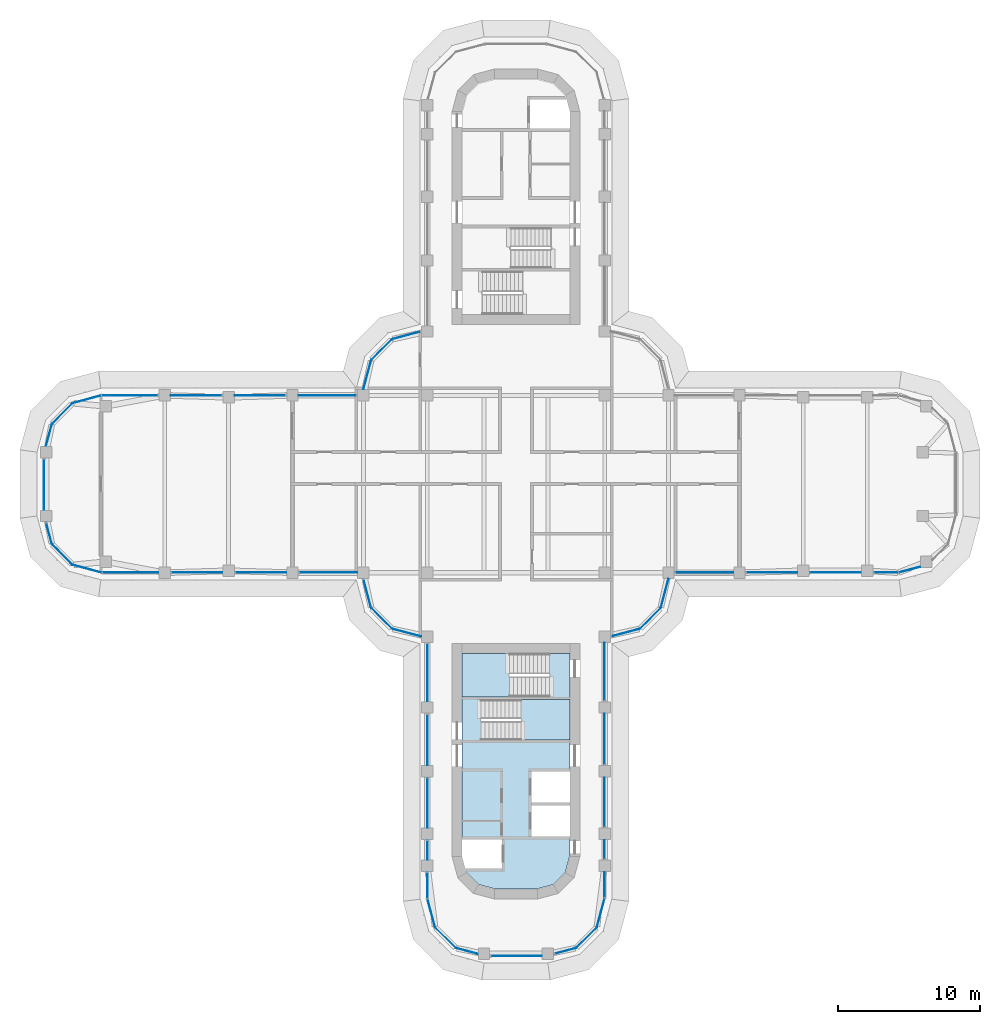
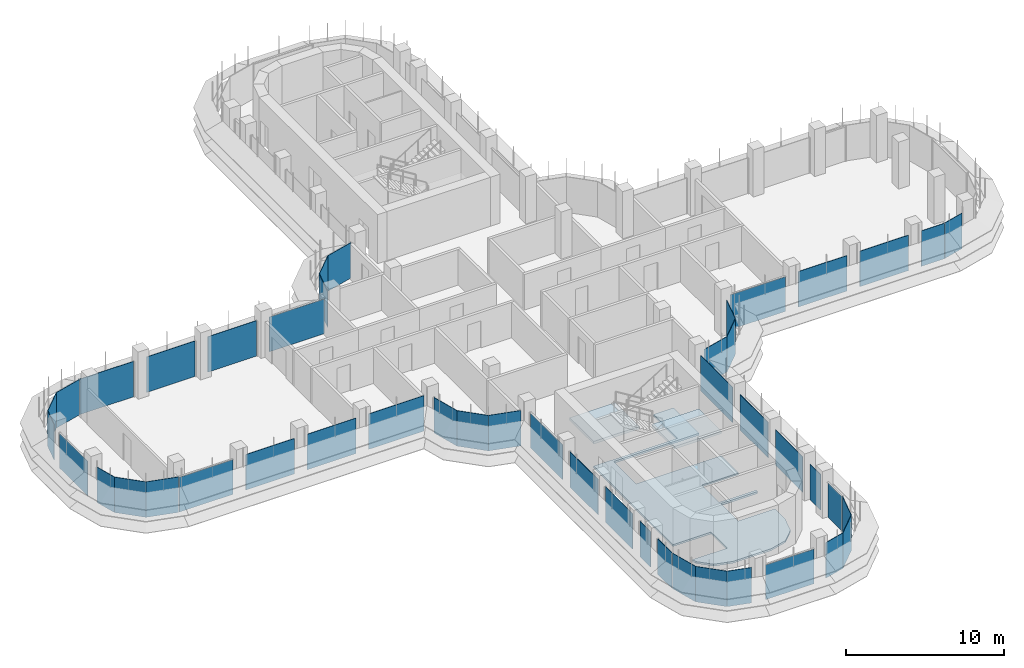
# One storey, part 12 of 20: 46 plates, 3 slabs, 31 elements without a shape of their own.
"""IFC4 building model written with IfcOpenShell, lengths in metres."""

from ifc_helpers import new_model, si_unit, direction, frame, origin, place, context, subcontext, project, spatial, polyline, outline, extrude, source, transform, mapped, material, layer, layer_set, type_object, element, aggregate, save


model = new_model("IFC4")

# Units and contexts
model_context = context("Model", 3, precision=1e-05, world=origin(), true_north=direction((0.0, 1.0)))
body_context = subcontext(model_context, "Body", "Model", "MODEL_VIEW")
ifc_project = project(units=[si_unit("LENGTHUNIT", "METRE"), si_unit("AREAUNIT", "SQUARE_METRE"), si_unit("VOLUMEUNIT", "CUBIC_METRE"), si_unit("PLANEANGLEUNIT", "RADIAN"), si_unit("MASSUNIT", "GRAM", prefix="KILO")], contexts=[model_context])

# Site, building, storey
site_placement = place(None, origin())
site = spatial("IfcSite", under=ifc_project, at=site_placement, CompositionType="ELEMENT")
building_placement = place(site_placement, origin())
building = spatial("IfcBuilding", under=site, at=building_placement, Name="Zarbagh Exchange Tower", CompositionType="ELEMENT")
storey_placement = place(building_placement, frame((0.0, 0.0, 148.60009765625)))
storey = spatial("IfcBuildingStorey", under=building, at=storey_placement, Name="L35", CompositionType="ELEMENT", Elevation=148.60009765625)

# Slab
ifc_material_1 = material(Name="Concrete C40/50", Category="concrete")
ifc_layer_1 = layer(ifc_material_1, 0.14990234375)
ifc_layer_set_1 = layer_set([ifc_layer_1], Name="Core floor slab 150 C40/50")
slab_type_1 = type_object("IfcSlabType", Name="Core floor slab 150 C40/50", PredefinedType="FLOOR", material=ifc_layer_set_1)
slab_1_placement = place(storey_placement, frame((0.0, 0.0, -0.150146484375)))
element("IfcSlab", 1, at=slab_1_placement, inside=storey, type_object=slab_type_1, Name="S17 core S", PredefinedType="FLOOR", context=body_context, shape_type="SweptSolid", body=[
    extrude(outline(polyline([(-2.6376953125, -28.220458984375), (-3.470458984375, -27.3876953125), (-3.800048828125, -26.15771484375), (-3.800048828125, -26.15771484375), (-3.547607421875, -27.10009765625), (-1.0, -27.10009765625), (-1.0, -25.050048828125), (-3.800048828125, -25.050048828125), (-3.800048828125, -15.0), (2.35009765625, -15.0), (2.35009765625, -11.949951171875), (3.800048828125, -11.949951171875), (3.800048828125, -15.199951171875), (-2.449951171875, -15.199951171875), (-2.449951171875, -18.050048828125), (3.800048828125, -18.050048828125), (3.800048828125, -20.25), (1.10009765625, -20.25), (1.10009765625, -22.449951171875), (3.800048828125, -22.449951171875), (3.800048828125, -22.64990234375), (1.10009765625, -22.64990234375), (1.10009765625, -24.85009765625), (3.800048828125, -24.85009765625), (3.800048828125, -26.15771484375), (3.470458984375, -27.3876953125), (2.6376953125, -28.220458984375), (1.40771484375, -28.550048828125), (-1.40771484375, -28.550048828125), (-2.6376953125, -28.220458984375)])), origin(), (0.0, 0.0, 1.0), 0.150146484375),
])

# Stair, slab
stair_type = type_object("IfcStairType", Name="Exit stair two-flight half-turn", PredefinedType="HALF_TURN_STAIR", material=ifc_material_1)
stair_1_placement = place(storey_placement, origin())
stair_1 = element("IfcStair", 2, at=stair_1_placement, inside=storey, type_object=stair_type, Name="exit stair ST3", PredefinedType="HALF_TURN_STAIR")
ifc_layer_2 = layer(ifc_material_1, 0.199951171875)
ifc_layer_set_2 = layer_set([ifc_layer_2], Name="Stair landing 200 mm")
slab_type_2 = type_object("IfcSlabType", Name="Stair landing 200 mm", PredefinedType="LANDING", material=ifc_layer_set_2)
slab_2_placement = place(storey_placement, frame((0.0, 0.0, 1.699951171875)))
slab_2 = element("IfcSlab", 3, at=slab_2_placement, type_object=slab_type_2, Name="ST3 landing 1", PredefinedType="LANDING", context=body_context, shape_type="SweptSolid", body=[
    extrude(outline(polyline([(0.35009765625, -18.050048828125), (3.800048828125, -18.050048828125), (3.800048828125, -15.199951171875), (0.35009765625, -15.199951171875), (0.35009765625, -18.050048828125)])), origin(), (0.0, 0.0, 1.0), 0.199951171875),
])
aggregate(stair_1, [slab_2])

stair_2_placement = place(storey_placement, origin())
stair_2 = element("IfcStair", 4, at=stair_2_placement, inside=storey, type_object=stair_type, Name="exit stair ST4", PredefinedType="HALF_TURN_STAIR")
slab_3_placement = place(storey_placement, frame((0.0, 0.0, 1.699951171875)))
slab_3 = element("IfcSlab", 5, at=slab_3_placement, type_object=slab_type_2, Name="ST4 landing 1", PredefinedType="LANDING", context=body_context, shape_type="SweptSolid", body=[
    extrude(outline(polyline([(-0.449951171875, -11.949951171875), (-3.800048828125, -11.949951171875), (-3.800048828125, -15.0), (-0.449951171875, -15.0), (-0.449951171875, -11.949951171875)])), origin(), (0.0, 0.0, 1.0), 0.199951171875),
])
aggregate(stair_2, [slab_3])

# Curtain wall, plate
ifc_material_2 = material(Name="Anodised aluminium frame and glazing", Category="aluminium")
curtain_wall_type = type_object("IfcCurtainWallType", Name="CWB Ribbon glazing, upper zones", PredefinedType="NOTDEFINED", material=ifc_material_2)
curtain_wall_1_placement = place(storey_placement, origin())
curtain_wall_1 = element("IfcCurtainWall", 6, at=curtain_wall_1_placement, inside=storey, type_object=curtain_wall_type, Name="CWB01 curtain wall", PredefinedType="NOTDEFINED")
ifc_material_3 = material(Name="Low-e double glazed unit, 6+12+6 mm")
ifc_layer_3 = layer(ifc_material_3, 0.031982421875)
ifc_layer_set_3 = layer_set([ifc_layer_3], Name="PAB Glazing panel, Low-e double glazed unit, 6+12+6 mm")
plate_type = type_object("IfcPlateType", Name="PAB Glazing panel, Low-e double glazed unit, 6+12+6 mm", PredefinedType="CURTAIN_PANEL", material=ifc_layer_set_3)
shared_shape_1 = source(origin(), body_context, "Body", "SweptSolid", [
    extrude(outline(polyline([(0.0, -0.01611328125), (1.5458984375, -0.01611328125), (1.5458984375, 0.01611328125), (0.0, 0.01611328125), (0.0, -0.01611328125)])), origin(), (0.0, 0.0, 1.0), 2.75),
])
placement = place(storey_placement, origin())
plate_1 = element("IfcPlate", 7, at=placement, type_object=plate_type, Name="CWB01 glazing panel 1.1", PredefinedType="CURTAIN_PANEL", context=body_context, shape_type="MappedRepresentation", body=[
    mapped(shared_shape_1, transform((2.748046875, -33.098876953125, 0.0), x_axis=(0.965924289636, 0.258824779902, 0.0), y_axis=(-0.258824779902, 0.965924289636, 0.0), z_axis=(0.0, 0.0, 1.0))),
])
aggregate(curtain_wall_1, [plate_1])

curtain_wall_2_placement = place(storey_placement, origin())
curtain_wall_2 = element("IfcCurtainWall", 8, at=curtain_wall_2_placement, inside=storey, type_object=curtain_wall_type, Name="CWB37 curtain wall", PredefinedType="NOTDEFINED")
plate_2 = element("IfcPlate", 9, at=placement, type_object=plate_type, Name="CWB37 glazing panel 1.1", PredefinedType="CURTAIN_PANEL", context=body_context, shape_type="MappedRepresentation", body=[
    mapped(shared_shape_1, transform((-33.098876953125, -2.748046875, 0.0), x_axis=(0.258824779902, -0.965924289636, 0.0), y_axis=(0.965924289636, 0.258824779902, 0.0), z_axis=(0.0, 0.0, 1.0))),
])
aggregate(curtain_wall_2, [plate_2])

curtain_wall_3_placement = place(storey_placement, origin())
curtain_wall_3 = element("IfcCurtainWall", 10, at=curtain_wall_3_placement, inside=storey, type_object=curtain_wall_type, Name="CWB02 curtain wall", PredefinedType="NOTDEFINED")
shared_shape_2 = source(origin(), body_context, "Body", "SweptSolid", [
    extrude(outline(polyline([(0.0, -0.01611328125), (2.061279296875, -0.01611328125), (2.061279296875, 0.01611328125), (0.0, 0.01611328125), (0.0, -0.01611328125)])), origin(), (0.0, 0.0, 1.0), 2.75),
])
plate_3 = element("IfcPlate", 11, at=placement, type_object=plate_type, Name="CWB02 glazing panel 1.1", PredefinedType="CURTAIN_PANEL", context=body_context, shape_type="MappedRepresentation", body=[
    mapped(shared_shape_2, transform((4.2412109375, -32.69873046875, 0.0), x_axis=(0.707106781187, 0.707106781187, 0.0), y_axis=(-0.707106781187, 0.707106781187, 0.0), z_axis=(0.0, 0.0, 1.0))),
])
aggregate(curtain_wall_3, [plate_3])

curtain_wall_4_placement = place(storey_placement, origin())
curtain_wall_4 = element("IfcCurtainWall", 12, at=curtain_wall_4_placement, inside=storey, type_object=curtain_wall_type, Name="CWB06 curtain wall", PredefinedType="NOTDEFINED")
plate_4 = element("IfcPlate", 13, at=placement, type_object=plate_type, Name="CWB06 glazing panel 1.1", PredefinedType="CURTAIN_PANEL", context=body_context, shape_type="MappedRepresentation", body=[
    mapped(shared_shape_2, transform((8.7412109375, -10.19873046875, 0.0), x_axis=(0.707106781187, 0.707106781187, 0.0), y_axis=(-0.707106781187, 0.707106781187, 0.0), z_axis=(0.0, 0.0, 1.0))),
])
aggregate(curtain_wall_4, [plate_4])

curtain_wall_5_placement = place(storey_placement, origin())
curtain_wall_5 = element("IfcCurtainWall", 14, at=curtain_wall_5_placement, inside=storey, type_object=curtain_wall_type, Name="CWB30 curtain wall", PredefinedType="NOTDEFINED")
plate_5 = element("IfcPlate", 15, at=placement, type_object=plate_type, Name="CWB30 glazing panel 1.1", PredefinedType="CURTAIN_PANEL", context=body_context, shape_type="MappedRepresentation", body=[
    mapped(shared_shape_2, transform((-8.7412109375, 10.19873046875, 0.0), x_axis=(-0.707106781187, -0.707106781187, 0.0), y_axis=(0.707106781187, -0.707106781187, 0.0), z_axis=(0.0, 0.0, 1.0))),
])
aggregate(curtain_wall_5, [plate_5])

curtain_wall_6_placement = place(storey_placement, origin())
curtain_wall_6 = element("IfcCurtainWall", 16, at=curtain_wall_6_placement, inside=storey, type_object=curtain_wall_type, Name="CWB34 curtain wall", PredefinedType="NOTDEFINED")
plate_6 = element("IfcPlate", 17, at=placement, type_object=plate_type, Name="CWB34 glazing panel 1.1", PredefinedType="CURTAIN_PANEL", context=body_context, shape_type="MappedRepresentation", body=[
    mapped(shared_shape_2, transform((-31.2412109375, 5.69873046875, 0.0), x_axis=(-0.707106781187, -0.707106781187, 0.0), y_axis=(0.707106781187, -0.707106781187, 0.0), z_axis=(0.0, 0.0, 1.0))),
])
aggregate(curtain_wall_6, [plate_6])

curtain_wall_7_placement = place(storey_placement, origin())
curtain_wall_7 = element("IfcCurtainWall", 18, at=curtain_wall_7_placement, inside=storey, type_object=curtain_wall_type, Name="CWB38 curtain wall", PredefinedType="NOTDEFINED")
plate_7 = element("IfcPlate", 19, at=placement, type_object=plate_type, Name="CWB38 glazing panel 1.1", PredefinedType="CURTAIN_PANEL", context=body_context, shape_type="MappedRepresentation", body=[
    mapped(shared_shape_2, transform((-32.69873046875, -4.2412109375, 0.0), x_axis=(0.707106781187, -0.707106781187, 0.0), y_axis=(0.707106781187, 0.707106781187, 0.0), z_axis=(0.0, 0.0, 1.0))),
])
aggregate(curtain_wall_7, [plate_7])

curtain_wall_8_placement = place(storey_placement, origin())
curtain_wall_8 = element("IfcCurtainWall", 20, at=curtain_wall_8_placement, inside=storey, type_object=curtain_wall_type, Name="CWB42 curtain wall", PredefinedType="NOTDEFINED")
plate_8 = element("IfcPlate", 21, at=placement, type_object=plate_type, Name="CWB42 glazing panel 1.1", PredefinedType="CURTAIN_PANEL", context=body_context, shape_type="MappedRepresentation", body=[
    mapped(shared_shape_2, transform((-10.19873046875, -8.7412109375, 0.0), x_axis=(0.707106781187, -0.707106781187, 0.0), y_axis=(0.707106781187, 0.707106781187, 0.0), z_axis=(0.0, 0.0, 1.0))),
])
aggregate(curtain_wall_8, [plate_8])

curtain_wall_9_placement = place(storey_placement, origin())
curtain_wall_9 = element("IfcCurtainWall", 22, at=curtain_wall_9_placement, inside=storey, type_object=curtain_wall_type, Name="CWB46 curtain wall", PredefinedType="NOTDEFINED")
plate_9 = element("IfcPlate", 23, at=placement, type_object=plate_type, Name="CWB46 glazing panel 1.1", PredefinedType="CURTAIN_PANEL", context=body_context, shape_type="MappedRepresentation", body=[
    mapped(shared_shape_2, transform((-5.69873046875, -31.2412109375, 0.0), x_axis=(0.707106781187, -0.707106781187, 0.0), y_axis=(0.707106781187, 0.707106781187, 0.0), z_axis=(0.0, 0.0, 1.0))),
])
aggregate(curtain_wall_9, [plate_9])

curtain_wall_10_placement = place(storey_placement, origin())
curtain_wall_10 = element("IfcCurtainWall", 24, at=curtain_wall_10_placement, inside=storey, type_object=curtain_wall_type, Name="CWB03 curtain wall", PredefinedType="NOTDEFINED")
shared_shape_3 = source(origin(), body_context, "Body", "SweptSolid", [
    extrude(outline(polyline([(0.0, -0.01611328125), (2.129638671875, -0.01611328125), (2.129638671875, 0.01611328125), (0.0, 0.01611328125), (0.0, -0.01611328125)])), origin(), (0.0, 0.0, 1.0), 2.75),
])
plate_10 = element("IfcPlate", 25, at=placement, type_object=plate_type, Name="CWB03 glazing panel 1.1", PredefinedType="CURTAIN_PANEL", context=body_context, shape_type="MappedRepresentation", body=[
    mapped(shared_shape_3, transform((5.69873046875, -31.2412109375, 0.0), x_axis=(0.258824779902, 0.965924289636, 0.0), y_axis=(-0.965924289636, 0.258824779902, 0.0), z_axis=(0.0, 0.0, 1.0))),
])
aggregate(curtain_wall_10, [plate_10])

curtain_wall_11_placement = place(storey_placement, origin())
curtain_wall_11 = element("IfcCurtainWall", 26, at=curtain_wall_11_placement, inside=storey, type_object=curtain_wall_type, Name="CWB39 curtain wall", PredefinedType="NOTDEFINED")
plate_11 = element("IfcPlate", 27, at=placement, type_object=plate_type, Name="CWB39 glazing panel 1.1", PredefinedType="CURTAIN_PANEL", context=body_context, shape_type="MappedRepresentation", body=[
    mapped(shared_shape_3, transform((-31.2412109375, -5.69873046875, 0.0), x_axis=(0.965924289636, -0.258824779902, 0.0), y_axis=(0.258824779902, 0.965924289636, 0.0), z_axis=(0.0, 0.0, 1.0))),
])
aggregate(curtain_wall_11, [plate_11])

# Curtain wall, plates
curtain_wall_12_placement = place(storey_placement, origin())
curtain_wall_12 = element("IfcCurtainWall", 28, at=curtain_wall_12_placement, inside=storey, type_object=curtain_wall_type, Name="CWB04 curtain wall", PredefinedType="NOTDEFINED")
shared_shape_4 = source(origin(), body_context, "Body", "SweptSolid", [
    extrude(outline(polyline([(0.0, -0.01611328125), (1.7841796875, -0.01611328125), (1.7841796875, 0.01611328125), (0.0, 0.01611328125), (0.0, -0.01611328125)])), origin(), (0.0, 0.0, 1.0), 2.68994140625),
])
plate_12 = element("IfcPlate", 29, at=placement, type_object=plate_type, Name="CWB04 glazing panel 1.1", PredefinedType="CURTAIN_PANEL", context=body_context, shape_type="MappedRepresentation", body=[
    mapped(shared_shape_4, transform((6.25, -29.124267578125, 0.0), x_axis=(0.0, 1.0, 0.0), y_axis=(-1.0, 0.0, 0.0), z_axis=(0.0, 0.0, 1.0))),
])
shared_shape_5 = source(origin(), body_context, "Body", "SweptSolid", [
    extrude(outline(polyline([(0.0, -0.01611328125), (1.31005859375, -0.01611328125), (1.31005859375, 0.01611328125), (0.0, 0.01611328125), (0.0, -0.01611328125)])), origin(), (0.0, 0.0, 1.0), 2.75),
])
plate_13 = element("IfcPlate", 30, at=placement, type_object=plate_type, Name="CWB04 glazing panel 2.1", PredefinedType="CURTAIN_PANEL", context=body_context, shape_type="MappedRepresentation", body=[
    mapped(shared_shape_5, transform((6.25, -26.39990234375, 0.0), x_axis=(0.0, 1.0, 0.0), y_axis=(-1.0, 0.0, 0.0), z_axis=(0.0, 0.0, 1.0))),
])

# Curtain wall, plate
curtain_wall_13_placement = place(storey_placement, origin())
curtain_wall_13 = element("IfcCurtainWall", 31, at=curtain_wall_13_placement, inside=storey, type_object=curtain_wall_type, Name="CWB44 curtain wall", PredefinedType="NOTDEFINED")
plate_14 = element("IfcPlate", 32, at=placement, type_object=plate_type, Name="CWB44 glazing panel 4.1", PredefinedType="CURTAIN_PANEL", context=body_context, shape_type="MappedRepresentation", body=[
    mapped(shared_shape_5, transform((-6.25, -25.150146484375, 0.0), x_axis=(0.0, -1.0, 0.0), y_axis=(1.0, 0.0, 0.0), z_axis=(0.0, 0.0, 1.0))),
])

# Plate
shared_shape_6 = source(origin(), body_context, "Body", "SweptSolid", [
    extrude(outline(polyline([(0.0, -0.01611328125), (3.4599609375, -0.01611328125), (3.4599609375, 0.01611328125), (0.0, 0.01611328125), (0.0, -0.01611328125)])), origin(), (0.0, 0.0, 1.0), 2.75),
])
plate_15 = element("IfcPlate", 33, at=placement, type_object=plate_type, Name="CWB04 glazing panel 3.1", PredefinedType="CURTAIN_PANEL", context=body_context, shape_type="MappedRepresentation", body=[
    mapped(shared_shape_6, transform((6.25, -24.14990234375, 0.0), x_axis=(0.0, 1.0, 0.0), y_axis=(-1.0, 0.0, 0.0), z_axis=(0.0, 0.0, 1.0))),
])

plate_16 = element("IfcPlate", 34, at=placement, type_object=plate_type, Name="CWB44 glazing panel 3.1", PredefinedType="CURTAIN_PANEL", context=body_context, shape_type="MappedRepresentation", body=[
    mapped(shared_shape_6, transform((-6.25, -20.75, 0.0), x_axis=(0.0, -1.0, 0.0), y_axis=(1.0, 0.0, 0.0), z_axis=(0.0, 0.0, 1.0))),
])

shared_shape_7 = source(origin(), body_context, "Body", "SweptSolid", [
    extrude(outline(polyline([(0.0, -0.01611328125), (3.56005859375, -0.01611328125), (3.56005859375, 0.01611328125), (0.0, 0.01611328125), (0.0, -0.01611328125)])), origin(), (0.0, 0.0, 1.0), 2.75),
])
plate_17 = element("IfcPlate", 35, at=placement, type_object=plate_type, Name="CWB04 glazing panel 4.1", PredefinedType="CURTAIN_PANEL", context=body_context, shape_type="MappedRepresentation", body=[
    mapped(shared_shape_7, transform((6.25, -19.75, 0.0), x_axis=(0.0, 1.0, 0.0), y_axis=(-1.0, 0.0, 0.0), z_axis=(0.0, 0.0, 1.0))),
])

# Curtain wall, plates
curtain_wall_14_placement = place(storey_placement, origin())
curtain_wall_14 = element("IfcCurtainWall", 36, at=curtain_wall_14_placement, inside=storey, type_object=curtain_wall_type, Name="CWB08 curtain wall", PredefinedType="NOTDEFINED")
plate_18 = element("IfcPlate", 37, at=placement, type_object=plate_type, Name="CWB08 glazing panel 2.1", PredefinedType="CURTAIN_PANEL", context=body_context, shape_type="MappedRepresentation", body=[
    mapped(shared_shape_7, transform((16.25, -6.25, 0.0), x_axis=(1.0, 0.0, 0.0), y_axis=(0.0, 1.0, 0.0), z_axis=(0.0, 0.0, 1.0))),
])
plate_19 = element("IfcPlate", 38, at=placement, type_object=plate_type, Name="CWB08 glazing panel 3.1", PredefinedType="CURTAIN_PANEL", context=body_context, shape_type="MappedRepresentation", body=[
    mapped(shared_shape_7, transform((20.75, -6.25, 0.0), x_axis=(1.0, 0.0, 0.0), y_axis=(0.0, 1.0, 0.0), z_axis=(0.0, 0.0, 1.0))),
])

curtain_wall_15_placement = place(storey_placement, origin())
curtain_wall_15 = element("IfcCurtainWall", 39, at=curtain_wall_15_placement, inside=storey, type_object=curtain_wall_type, Name="CWB32 curtain wall", PredefinedType="NOTDEFINED")
plate_20 = element("IfcPlate", 40, at=placement, type_object=plate_type, Name="CWB32 glazing panel 2.1", PredefinedType="CURTAIN_PANEL", context=body_context, shape_type="MappedRepresentation", body=[
    mapped(shared_shape_7, transform((-16.25, 6.25, 0.0), x_axis=(-1.0, 0.0, 0.0), y_axis=(0.0, -1.0, 0.0), z_axis=(0.0, 0.0, 1.0))),
])
plate_21 = element("IfcPlate", 41, at=placement, type_object=plate_type, Name="CWB32 glazing panel 3.1", PredefinedType="CURTAIN_PANEL", context=body_context, shape_type="MappedRepresentation", body=[
    mapped(shared_shape_7, transform((-20.75, 6.25, 0.0), x_axis=(-1.0, 0.0, 0.0), y_axis=(0.0, -1.0, 0.0), z_axis=(0.0, 0.0, 1.0))),
])

curtain_wall_16_placement = place(storey_placement, origin())
curtain_wall_16 = element("IfcCurtainWall", 42, at=curtain_wall_16_placement, inside=storey, type_object=curtain_wall_type, Name="CWB40 curtain wall", PredefinedType="NOTDEFINED")
plate_22 = element("IfcPlate", 43, at=placement, type_object=plate_type, Name="CWB40 glazing panel 2.1", PredefinedType="CURTAIN_PANEL", context=body_context, shape_type="MappedRepresentation", body=[
    mapped(shared_shape_7, transform((-24.25, -6.25, 0.0), x_axis=(1.0, 0.0, 0.0), y_axis=(0.0, 1.0, 0.0), z_axis=(0.0, 0.0, 1.0))),
])
plate_23 = element("IfcPlate", 44, at=placement, type_object=plate_type, Name="CWB40 glazing panel 3.1", PredefinedType="CURTAIN_PANEL", context=body_context, shape_type="MappedRepresentation", body=[
    mapped(shared_shape_7, transform((-19.75, -6.25, 0.0), x_axis=(1.0, 0.0, 0.0), y_axis=(0.0, 1.0, 0.0), z_axis=(0.0, 0.0, 1.0))),
])

# Plate
plate_24 = element("IfcPlate", 45, at=placement, type_object=plate_type, Name="CWB44 glazing panel 2.1", PredefinedType="CURTAIN_PANEL", context=body_context, shape_type="MappedRepresentation", body=[
    mapped(shared_shape_7, transform((-6.25, -16.25, 0.0), x_axis=(0.0, -1.0, 0.0), y_axis=(1.0, 0.0, 0.0), z_axis=(0.0, 0.0, 1.0))),
])

shared_shape_8 = source(origin(), body_context, "Body", "SweptSolid", [
    extrude(outline(polyline([(0.0, -0.01611328125), (4.06005859375, -0.01611328125), (4.06005859375, 0.01611328125), (0.0, 0.01611328125), (0.0, -0.01611328125)])), origin(), (0.0, 0.0, 1.0), 2.75),
])
plate_25 = element("IfcPlate", 46, at=placement, type_object=plate_type, Name="CWB04 glazing panel 5.1", PredefinedType="CURTAIN_PANEL", context=body_context, shape_type="MappedRepresentation", body=[
    mapped(shared_shape_8, transform((6.25, -15.25, 0.0), x_axis=(0.0, 1.0, 0.0), y_axis=(-1.0, 0.0, 0.0), z_axis=(0.0, 0.0, 1.0))),
])

aggregate(curtain_wall_12, [plate_12, plate_13, plate_15, plate_17, plate_25])

plate_26 = element("IfcPlate", 47, at=placement, type_object=plate_type, Name="CWB40 glazing panel 4.1", PredefinedType="CURTAIN_PANEL", context=body_context, shape_type="MappedRepresentation", body=[
    mapped(shared_shape_8, transform((-15.25, -6.25, 0.0), x_axis=(1.0, 0.0, 0.0), y_axis=(0.0, 1.0, 0.0), z_axis=(0.0, 0.0, 1.0))),
])

# Curtain wall, plate
curtain_wall_17_placement = place(storey_placement, origin())
curtain_wall_17 = element("IfcCurtainWall", 48, at=curtain_wall_17_placement, inside=storey, type_object=curtain_wall_type, Name="CWB05 curtain wall", PredefinedType="NOTDEFINED")
shared_shape_9 = source(origin(), body_context, "Body", "SweptSolid", [
    extrude(outline(polyline([(0.0, -0.01611328125), (2.063720703125, -0.01611328125), (2.063720703125, 0.01611328125), (0.0, 0.01611328125), (0.0, -0.01611328125)])), origin(), (0.0, 0.0, 1.0), 2.75),
])
plate_27 = element("IfcPlate", 49, at=placement, type_object=plate_type, Name="CWB05 glazing panel 1.1", PredefinedType="CURTAIN_PANEL", context=body_context, shape_type="MappedRepresentation", body=[
    mapped(shared_shape_9, transform((6.748046875, -10.73291015625, 0.0), x_axis=(0.965924289636, 0.258824779902, 0.0), y_axis=(-0.258824779902, 0.965924289636, 0.0), z_axis=(0.0, 0.0, 1.0))),
])
aggregate(curtain_wall_17, [plate_27])

curtain_wall_18_placement = place(storey_placement, origin())
curtain_wall_18 = element("IfcCurtainWall", 50, at=curtain_wall_18_placement, inside=storey, type_object=curtain_wall_type, Name="CWB29 curtain wall", PredefinedType="NOTDEFINED")
plate_28 = element("IfcPlate", 51, at=placement, type_object=plate_type, Name="CWB29 glazing panel 1.1", PredefinedType="CURTAIN_PANEL", context=body_context, shape_type="MappedRepresentation", body=[
    mapped(shared_shape_9, transform((-6.748046875, 10.73291015625, 0.0), x_axis=(-0.965924289636, -0.258824779902, 0.0), y_axis=(0.258824779902, -0.965924289636, 0.0), z_axis=(0.0, 0.0, 1.0))),
])
aggregate(curtain_wall_18, [plate_28])

curtain_wall_19_placement = place(storey_placement, origin())
curtain_wall_19 = element("IfcCurtainWall", 52, at=curtain_wall_19_placement, inside=storey, type_object=curtain_wall_type, Name="CWB41 curtain wall", PredefinedType="NOTDEFINED")
plate_29 = element("IfcPlate", 53, at=placement, type_object=plate_type, Name="CWB41 glazing panel 1.1", PredefinedType="CURTAIN_PANEL", context=body_context, shape_type="MappedRepresentation", body=[
    mapped(shared_shape_9, transform((-10.73291015625, -6.748046875, 0.0), x_axis=(0.258824779902, -0.965924289636, 0.0), y_axis=(0.965924289636, 0.258824779902, 0.0), z_axis=(0.0, 0.0, 1.0))),
])
aggregate(curtain_wall_19, [plate_29])

curtain_wall_20_placement = place(storey_placement, origin())
curtain_wall_20 = element("IfcCurtainWall", 54, at=curtain_wall_20_placement, inside=storey, type_object=curtain_wall_type, Name="CWB07 curtain wall", PredefinedType="NOTDEFINED")
shared_shape_10 = source(origin(), body_context, "Body", "SweptSolid", [
    extrude(outline(polyline([(0.0, -0.01611328125), (2.12353515625, -0.01611328125), (2.12353515625, 0.01611328125), (0.0, 0.01611328125), (0.0, -0.01611328125)])), origin(), (0.0, 0.0, 1.0), 2.75),
])
plate_30 = element("IfcPlate", 55, at=placement, type_object=plate_type, Name="CWB07 glazing panel 1.1", PredefinedType="CURTAIN_PANEL", context=body_context, shape_type="MappedRepresentation", body=[
    mapped(shared_shape_10, transform((10.19873046875, -8.7412109375, 0.0), x_axis=(0.258824779902, 0.965924289636, 0.0), y_axis=(-0.965924289636, 0.258824779902, 0.0), z_axis=(0.0, 0.0, 1.0))),
])
aggregate(curtain_wall_20, [plate_30])

curtain_wall_21_placement = place(storey_placement, origin())
curtain_wall_21 = element("IfcCurtainWall", 56, at=curtain_wall_21_placement, inside=storey, type_object=curtain_wall_type, Name="CWB31 curtain wall", PredefinedType="NOTDEFINED")
plate_31 = element("IfcPlate", 57, at=placement, type_object=plate_type, Name="CWB31 glazing panel 1.1", PredefinedType="CURTAIN_PANEL", context=body_context, shape_type="MappedRepresentation", body=[
    mapped(shared_shape_10, transform((-10.19873046875, 8.7412109375, 0.0), x_axis=(-0.258824779902, -0.965924289636, 0.0), y_axis=(0.965924289636, -0.258824779902, 0.0), z_axis=(0.0, 0.0, 1.0))),
])
aggregate(curtain_wall_21, [plate_31])

curtain_wall_22_placement = place(storey_placement, origin())
curtain_wall_22 = element("IfcCurtainWall", 58, at=curtain_wall_22_placement, inside=storey, type_object=curtain_wall_type, Name="CWB43 curtain wall", PredefinedType="NOTDEFINED")
plate_32 = element("IfcPlate", 59, at=placement, type_object=plate_type, Name="CWB43 glazing panel 1.1", PredefinedType="CURTAIN_PANEL", context=body_context, shape_type="MappedRepresentation", body=[
    mapped(shared_shape_10, transform((-8.7412109375, -10.19873046875, 0.0), x_axis=(0.965924289636, -0.258824779902, 0.0), y_axis=(0.258824779902, 0.965924289636, 0.0), z_axis=(0.0, 0.0, 1.0))),
])
aggregate(curtain_wall_22, [plate_32])

# Plate
shared_shape_11 = source(origin(), body_context, "Body", "SweptSolid", [
    extrude(outline(polyline([(0.0, -0.01611328125), (4.06005859375, -0.01611328125), (4.06005859375, 0.01611328125), (0.0, 0.01611328125), (0.0, -0.01611328125)])), origin(), (0.0, 0.0, 1.0), 2.68994140625),
])
plate_33 = element("IfcPlate", 60, at=placement, type_object=plate_type, Name="CWB08 glazing panel 1.1", PredefinedType="CURTAIN_PANEL", context=body_context, shape_type="MappedRepresentation", body=[
    mapped(shared_shape_11, transform((11.25, -6.25, 0.0), x_axis=(1.0, 0.0, 0.0), y_axis=(0.0, 1.0, 0.0), z_axis=(0.0, 0.0, 1.0))),
])

plate_34 = element("IfcPlate", 61, at=placement, type_object=plate_type, Name="CWB32 glazing panel 1.1", PredefinedType="CURTAIN_PANEL", context=body_context, shape_type="MappedRepresentation", body=[
    mapped(shared_shape_11, transform((-11.25, 6.25, 0.0), x_axis=(-1.0, 0.0, 0.0), y_axis=(0.0, -1.0, 0.0), z_axis=(0.0, 0.0, 1.0))),
])

plate_35 = element("IfcPlate", 62, at=placement, type_object=plate_type, Name="CWB44 glazing panel 1.1", PredefinedType="CURTAIN_PANEL", context=body_context, shape_type="MappedRepresentation", body=[
    mapped(shared_shape_11, transform((-6.25, -11.25, 0.0), x_axis=(0.0, -1.0, 0.0), y_axis=(1.0, 0.0, 0.0), z_axis=(0.0, 0.0, 1.0))),
])

shared_shape_12 = source(origin(), body_context, "Body", "SweptSolid", [
    extrude(outline(polyline([(0.0, -0.01611328125), (1.68408203125, -0.01611328125), (1.68408203125, 0.01611328125), (0.0, 0.01611328125), (0.0, -0.01611328125)])), origin(), (0.0, 0.0, 1.0), 2.75),
])
plate_36 = element("IfcPlate", 63, at=placement, type_object=plate_type, Name="CWB08 glazing panel 4.1", PredefinedType="CURTAIN_PANEL", context=body_context, shape_type="MappedRepresentation", body=[
    mapped(shared_shape_12, transform((25.25, -6.25, 0.0), x_axis=(1.0, 0.0, 0.0), y_axis=(0.0, 1.0, 0.0), z_axis=(0.0, 0.0, 1.0))),
])

aggregate(curtain_wall_14, [plate_33, plate_18, plate_19, plate_36])

# Curtain wall, plate
curtain_wall_23_placement = place(storey_placement, origin())
curtain_wall_23 = element("IfcCurtainWall", 64, at=curtain_wall_23_placement, inside=storey, type_object=curtain_wall_type, Name="CWB09 curtain wall", PredefinedType="NOTDEFINED")
shared_shape_13 = source(origin(), body_context, "Body", "SweptSolid", [
    extrude(outline(polyline([(0.0, -0.01611328125), (1.52783203125, -0.01611328125), (1.52783203125, 0.01611328125), (0.0, 0.01611328125), (0.0, -0.01611328125)])), origin(), (0.0, 0.0, 1.0), 2.75),
])
plate_37 = element("IfcPlate", 65, at=placement, type_object=plate_type, Name="CWB09 glazing panel 1.1", PredefinedType="CURTAIN_PANEL", context=body_context, shape_type="MappedRepresentation", body=[
    mapped(shared_shape_13, transform((26.9921875, -6.234375, 0.0), x_axis=(0.965924289636, 0.258824779902, 0.0), y_axis=(-0.258824779902, 0.965924289636, 0.0), z_axis=(0.0, 0.0, 1.0))),
])
aggregate(curtain_wall_23, [plate_37])

curtain_wall_24_placement = place(storey_placement, origin())
curtain_wall_24 = element("IfcCurtainWall", 66, at=curtain_wall_24_placement, inside=storey, type_object=curtain_wall_type, Name="CWB33 curtain wall", PredefinedType="NOTDEFINED")
shared_shape_14 = source(origin(), body_context, "Body", "SweptSolid", [
    extrude(outline(polyline([(0.0, -0.01611328125), (2.069580078125, -0.01611328125), (2.069580078125, 0.01611328125), (0.0, 0.01611328125), (0.0, -0.01611328125)])), origin(), (0.0, 0.0, 1.0), 2.75),
])
plate_38 = element("IfcPlate", 67, at=placement, type_object=plate_type, Name="CWB33 glazing panel 1.1", PredefinedType="CURTAIN_PANEL", context=body_context, shape_type="MappedRepresentation", body=[
    mapped(shared_shape_14, transform((-29.2421875, 6.234375, 0.0), x_axis=(-0.965924289636, -0.258824779902, 0.0), y_axis=(0.258824779902, -0.965924289636, 0.0), z_axis=(0.0, 0.0, 1.0))),
])
aggregate(curtain_wall_24, [plate_38])

curtain_wall_25_placement = place(storey_placement, origin())
curtain_wall_25 = element("IfcCurtainWall", 68, at=curtain_wall_25_placement, inside=storey, type_object=curtain_wall_type, Name="CWB45 curtain wall", PredefinedType="NOTDEFINED")
plate_39 = element("IfcPlate", 69, at=placement, type_object=plate_type, Name="CWB45 glazing panel 1.1", PredefinedType="CURTAIN_PANEL", context=body_context, shape_type="MappedRepresentation", body=[
    mapped(shared_shape_14, transform((-6.234375, -29.2421875, 0.0), x_axis=(0.258824779902, -0.965924289636, 0.0), y_axis=(0.965924289636, 0.258824779902, 0.0), z_axis=(0.0, 0.0, 1.0))),
])
aggregate(curtain_wall_25, [plate_39])

# Plate
shared_shape_15 = source(origin(), body_context, "Body", "SweptSolid", [
    extrude(outline(polyline([(0.0, -0.01611328125), (3.93408203125, -0.01611328125), (3.93408203125, 0.01611328125), (0.0, 0.01611328125), (0.0, -0.01611328125)])), origin(), (0.0, 0.0, 1.0), 2.75),
])
plate_40 = element("IfcPlate", 70, at=placement, type_object=plate_type, Name="CWB32 glazing panel 4.1", PredefinedType="CURTAIN_PANEL", context=body_context, shape_type="MappedRepresentation", body=[
    mapped(shared_shape_15, transform((-25.25, 6.25, 0.0), x_axis=(-1.0, 0.0, 0.0), y_axis=(0.0, -1.0, 0.0), z_axis=(0.0, 0.0, 1.0))),
])

aggregate(curtain_wall_15, [plate_34, plate_20, plate_21, plate_40])

# Curtain wall, plate
curtain_wall_26_placement = place(storey_placement, origin())
curtain_wall_26 = element("IfcCurtainWall", 71, at=curtain_wall_26_placement, inside=storey, type_object=curtain_wall_type, Name="CWB35 curtain wall", PredefinedType="NOTDEFINED")
shared_shape_16 = source(origin(), body_context, "Body", "SweptSolid", [
    extrude(outline(polyline([(0.0, -0.01611328125), (1.60595703125, -0.01611328125), (1.60595703125, 0.01611328125), (0.0, 0.01611328125), (0.0, -0.01611328125)])), origin(), (0.0, 0.0, 1.0), 2.75),
])
plate_41 = element("IfcPlate", 72, at=placement, type_object=plate_type, Name="CWB35 glazing panel 1.1", PredefinedType="CURTAIN_PANEL", context=body_context, shape_type="MappedRepresentation", body=[
    mapped(shared_shape_16, transform((-32.69873046875, 4.2412109375, 0.0), x_axis=(-0.258824779902, -0.965924289636, 0.0), y_axis=(0.965924289636, -0.258824779902, 0.0), z_axis=(0.0, 0.0, 1.0))),
])
aggregate(curtain_wall_26, [plate_41])

curtain_wall_27_placement = place(storey_placement, origin())
curtain_wall_27 = element("IfcCurtainWall", 73, at=curtain_wall_27_placement, inside=storey, type_object=curtain_wall_type, Name="CWB47 curtain wall", PredefinedType="NOTDEFINED")
plate_42 = element("IfcPlate", 74, at=placement, type_object=plate_type, Name="CWB47 glazing panel 1.1", PredefinedType="CURTAIN_PANEL", context=body_context, shape_type="MappedRepresentation", body=[
    mapped(shared_shape_16, transform((-4.2412109375, -32.69873046875, 0.0), x_axis=(0.965924289636, -0.258824779902, 0.0), y_axis=(0.258824779902, 0.965924289636, 0.0), z_axis=(0.0, 0.0, 1.0))),
])
aggregate(curtain_wall_27, [plate_42])

curtain_wall_28_placement = place(storey_placement, origin())
curtain_wall_28 = element("IfcCurtainWall", 75, at=curtain_wall_28_placement, inside=storey, type_object=curtain_wall_type, Name="CWB36 curtain wall", PredefinedType="NOTDEFINED")
shared_shape_17 = source(origin(), body_context, "Body", "SweptSolid", [
    extrude(outline(polyline([(0.0, -0.01611328125), (3.56005859375, -0.01611328125), (3.56005859375, 0.01611328125), (0.0, 0.01611328125), (0.0, -0.01611328125)])), origin(), (0.0, 0.0, 1.0), 2.68994140625),
])
plate_43 = element("IfcPlate", 76, at=placement, type_object=plate_type, Name="CWB36 glazing panel 1.1", PredefinedType="CURTAIN_PANEL", context=body_context, shape_type="MappedRepresentation", body=[
    mapped(shared_shape_17, transform((-33.25, 1.75, 0.0), x_axis=(0.0, -1.0, 0.0), y_axis=(1.0, 0.0, 0.0), z_axis=(0.0, 0.0, 1.0))),
])
aggregate(curtain_wall_28, [plate_43])

curtain_wall_29_placement = place(storey_placement, origin())
curtain_wall_29 = element("IfcCurtainWall", 77, at=curtain_wall_29_placement, inside=storey, type_object=curtain_wall_type, Name="CWB48 curtain wall", PredefinedType="NOTDEFINED")
plate_44 = element("IfcPlate", 78, at=placement, type_object=plate_type, Name="CWB48 glazing panel 1.1", PredefinedType="CURTAIN_PANEL", context=body_context, shape_type="MappedRepresentation", body=[
    mapped(shared_shape_17, transform((-1.75, -33.25, 0.0), x_axis=(1.0, 0.0, 0.0), y_axis=(0.0, 1.0, 0.0), z_axis=(0.0, 0.0, 1.0))),
])
aggregate(curtain_wall_29, [plate_44])

# Plate
shared_shape_18 = source(origin(), body_context, "Body", "SweptSolid", [
    extrude(outline(polyline([(0.0, -0.01611328125), (3.93408203125, -0.01611328125), (3.93408203125, 0.01611328125), (0.0, 0.01611328125), (0.0, -0.01611328125)])), origin(), (0.0, 0.0, 1.0), 2.68994140625),
])
plate_45 = element("IfcPlate", 79, at=placement, type_object=plate_type, Name="CWB40 glazing panel 1.1", PredefinedType="CURTAIN_PANEL", context=body_context, shape_type="MappedRepresentation", body=[
    mapped(shared_shape_18, transform((-29.124267578125, -6.25, 0.0), x_axis=(1.0, 0.0, 0.0), y_axis=(0.0, 1.0, 0.0), z_axis=(0.0, 0.0, 1.0))),
])

aggregate(curtain_wall_16, [plate_45, plate_22, plate_23, plate_26])

shared_shape_19 = source(origin(), body_context, "Body", "SweptSolid", [
    extrude(outline(polyline([(0.0, -0.01611328125), (1.7841796875, -0.01611328125), (1.7841796875, 0.01611328125), (0.0, 0.01611328125), (0.0, -0.01611328125)])), origin(), (0.0, 0.0, 1.0), 2.75),
])
plate_46 = element("IfcPlate", 80, at=placement, type_object=plate_type, Name="CWB44 glazing panel 5.1", PredefinedType="CURTAIN_PANEL", context=body_context, shape_type="MappedRepresentation", body=[
    mapped(shared_shape_19, transform((-6.25, -27.400146484375, 0.0), x_axis=(0.0, -1.0, 0.0), y_axis=(1.0, 0.0, 0.0), z_axis=(0.0, 0.0, 1.0))),
])

aggregate(curtain_wall_13, [plate_35, plate_24, plate_16, plate_14, plate_46])

save(model, "model.ifc")
